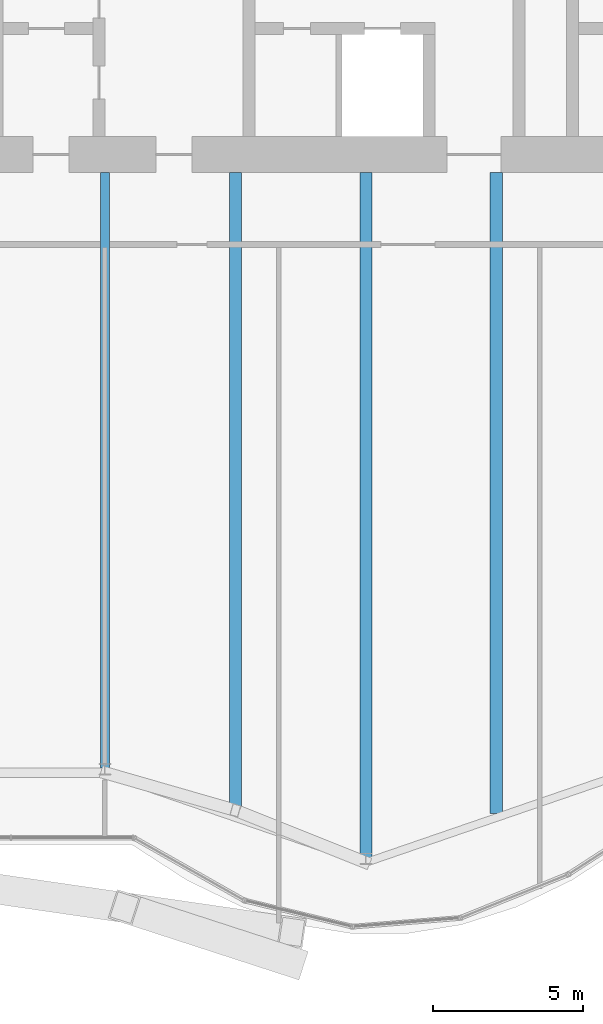
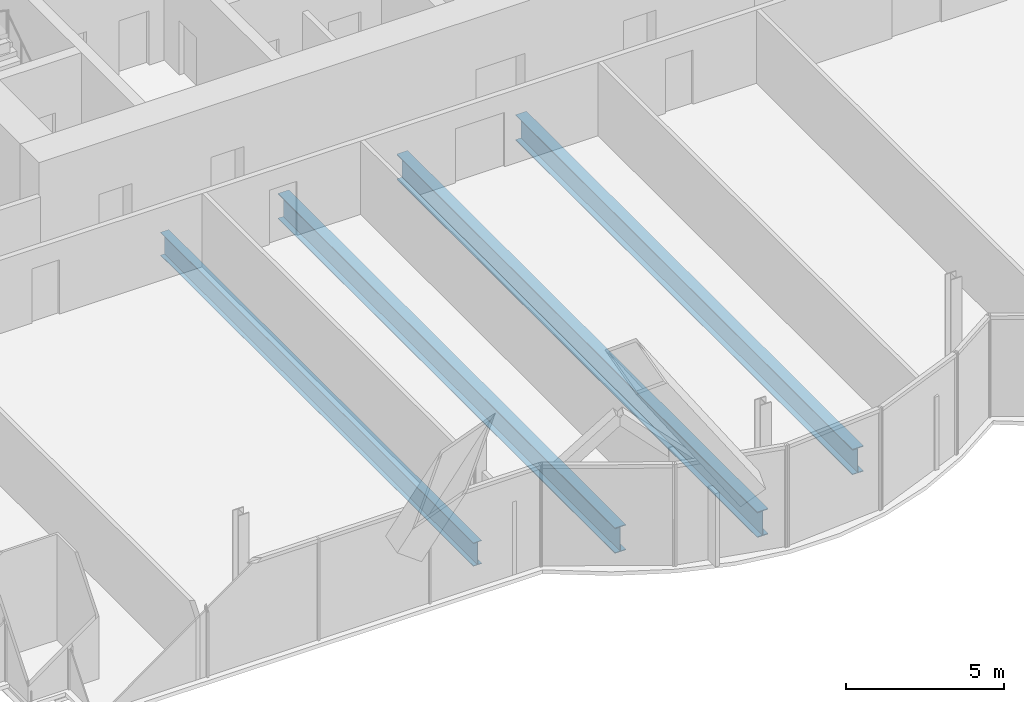
# One storey, part 7 of 23: 4 beams.
"""IFC4 building model written with IfcOpenShell, lengths in metres."""

from ifc_helpers import new_model, si_unit, direction, frame, origin, origin_2d, place, context, subcontext, project, spatial, i_section, extrude, material, material_profile, profile_set, type_object, element, save


model = new_model("IFC4")

# Units and contexts
model_context = context("Model", 3, precision=1e-05, world=origin(), true_north=direction((0.0, 1.0)))
body_context = subcontext(model_context, "Body", "Model", "MODEL_VIEW")
ifc_project = project(units=[si_unit("LENGTHUNIT", "METRE"), si_unit("AREAUNIT", "SQUARE_METRE"), si_unit("VOLUMEUNIT", "CUBIC_METRE"), si_unit("PLANEANGLEUNIT", "RADIAN"), si_unit("MASSUNIT", "GRAM", prefix="KILO")], contexts=[model_context])

# Site, building, storey
site_placement = place(None, origin())
site = spatial("IfcSite", under=ifc_project, at=site_placement, CompositionType="ELEMENT")
building_placement = place(site_placement, origin())
building = spatial("IfcBuilding", under=site, at=building_placement, Name="Bicima Exchange Tower", CompositionType="ELEMENT")
storey_placement = place(building_placement, frame((0.0, 0.0, 152.699951171875)))
storey = spatial("IfcBuildingStorey", under=building, at=storey_placement, Name="L33", CompositionType="ELEMENT", Elevation=152.699951171875)

# Beams
ifc_material = material(Name="Steel ASTM A992 Gr 50", Category="steel")
ifc_material_profile_1 = material_profile(ifc_material, i_section(OverallWidth=0.3046875, OverallDepth=0.904296875, WebThickness=0.01513671875, FlangeThickness=0.02001953125, at=origin_2d()))
ifc_profile_set_1 = profile_set([ifc_material_profile_1], Name="Steel ASTM A992 Gr 50")
beam_type_1 = type_object("IfcBeamType", Name="Floor beam W36x135", PredefinedType="JOIST", material=ifc_profile_set_1)
beam_1_placement = place(storey_placement, frame((-17.39990234375, -13.0, -0.60205078125), z_axis=(0.0, -1.0, 0.0), x_axis=(1.0, 0.0, 0.0)))
element("IfcBeam", 1, at=beam_1_placement, inside=storey, type_object=beam_type_1, Name="Floor beam", PredefinedType="JOIST", context=body_context, shape_type="SweptSolid", body=[
    extrude(i_section(OverallWidth=0.3046875, OverallDepth=0.904296875, WebThickness=0.01513671875, FlangeThickness=0.02001953125, at=origin_2d()), origin(), (0.0, 0.0, 1.0), 19.849365234375),
])
ifc_material_profile_2 = material_profile(ifc_material, i_section(OverallWidth=0.4013671875, OverallDepth=0.990478515625, WebThickness=0.0166015625, FlangeThickness=0.031005859375, at=origin_2d()))
ifc_profile_set_2 = profile_set([ifc_material_profile_2], Name="Steel ASTM A992 Gr 50")
beam_type_2 = type_object("IfcBeamType", Name="Floor beam W40x215", PredefinedType="JOIST", material=ifc_profile_set_2)
beam_2_placement = place(storey_placement, frame((-13.050048828125, -13.0, -0.645263671875), z_axis=(0.0, -1.0, 0.0), x_axis=(1.0, 0.0, 0.0)))
element("IfcBeam", 2, at=beam_2_placement, inside=storey, type_object=beam_type_2, Name="Floor beam", PredefinedType="JOIST", context=body_context, shape_type="SweptSolid", body=[
    extrude(i_section(OverallWidth=0.4013671875, OverallDepth=0.990478515625, WebThickness=0.0166015625, FlangeThickness=0.031005859375, at=origin_2d()), origin(), (0.0, 0.0, 1.0), 21.371826171875),
])
beam_3_placement = place(storey_placement, frame((-8.699951171875, -13.0, -0.645263671875), z_axis=(0.0, -1.0, 0.0), x_axis=(1.0, 0.0, 0.0)))
element("IfcBeam", 3, at=beam_3_placement, inside=storey, type_object=beam_type_2, Name="Floor beam", PredefinedType="JOIST", context=body_context, shape_type="SweptSolid", body=[
    extrude(i_section(OverallWidth=0.4013671875, OverallDepth=0.990478515625, WebThickness=0.0166015625, FlangeThickness=0.031005859375, at=origin_2d()), origin(), (0.0, 0.0, 1.0), 22.867431640625),
])
beam_4_placement = place(storey_placement, frame((-4.35009765625, -13.0, -0.645263671875), z_axis=(0.0, -1.0, 0.0), x_axis=(1.0, 0.0, 0.0)))
element("IfcBeam", 4, at=beam_4_placement, inside=storey, type_object=beam_type_2, Name="Floor beam", PredefinedType="JOIST", context=body_context, shape_type="SweptSolid", body=[
    extrude(i_section(OverallWidth=0.4013671875, OverallDepth=0.990478515625, WebThickness=0.0166015625, FlangeThickness=0.031005859375, at=origin_2d()), origin(), (0.0, 0.0, 1.0), 21.371826171875),
])

save(model, "model.ifc")
